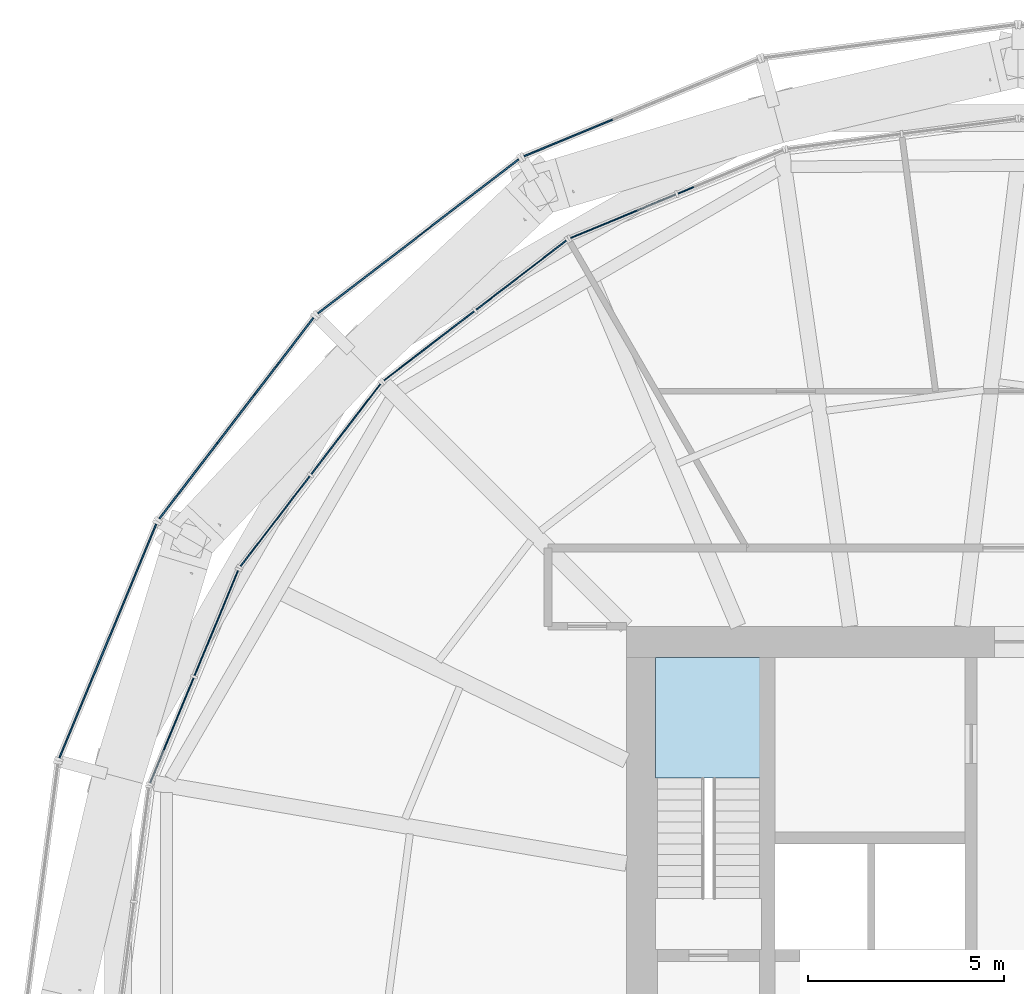
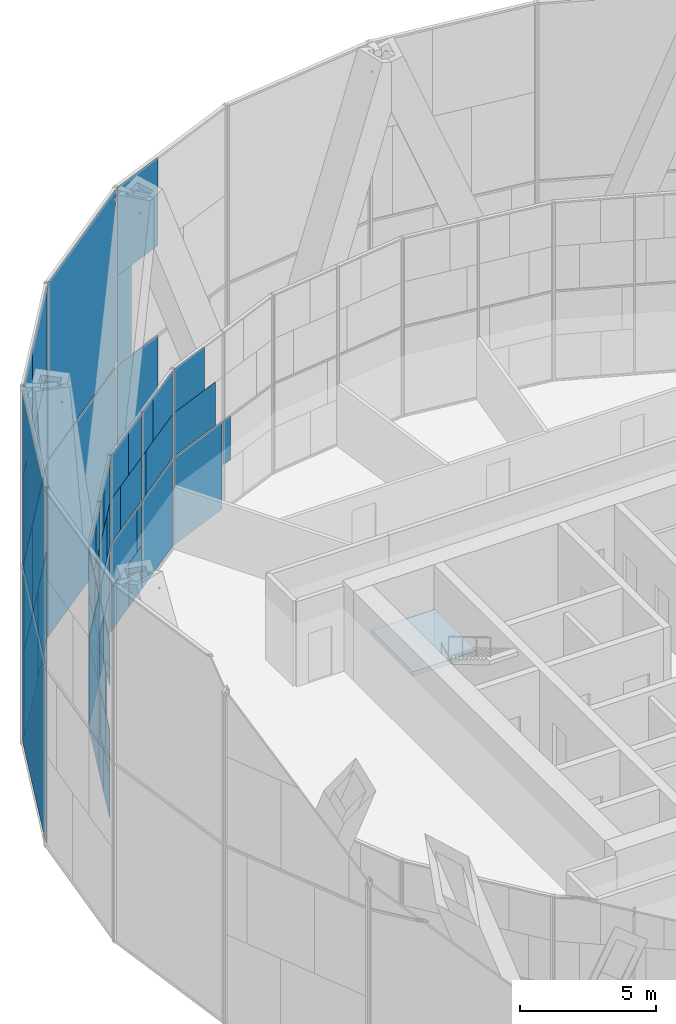
# One storey, part 16 of 22: 59 plates, 1 slab, 9 elements without a shape of their own.
"""IFC4 building model written with IfcOpenShell, lengths in metres."""

from ifc_helpers import new_model, si_unit, direction, frame, origin, origin_2d, place, context, subcontext, project, spatial, polyline, rectangle, outline, extrude, material, layer, layer_set, type_object, element, aggregate, save


model = new_model("IFC4")

# Units and contexts
model_context = context("Model", 3, precision=1e-05, world=origin(), true_north=direction((0.0, 1.0)))
body_context = subcontext(model_context, "Body", "Model", "MODEL_VIEW")
ifc_project = project(units=[si_unit("LENGTHUNIT", "METRE"), si_unit("AREAUNIT", "SQUARE_METRE"), si_unit("VOLUMEUNIT", "CUBIC_METRE"), si_unit("PLANEANGLEUNIT", "RADIAN"), si_unit("MASSUNIT", "GRAM", prefix="KILO")], contexts=[model_context])

# Site, building, storey
site_placement = place(None, origin())
site = spatial("IfcSite", under=ifc_project, at=site_placement, CompositionType="ELEMENT")
building_placement = place(site_placement, origin())
building = spatial("IfcBuilding", under=site, at=building_placement, Name="Golbaran Civic Tower", CompositionType="ELEMENT")
storey_placement = place(building_placement, frame((0.0, 0.0, 37.0)))
storey = spatial("IfcBuildingStorey", under=building, at=storey_placement, Name="L08", CompositionType="ELEMENT", Elevation=37.0)

# Curtain wall, plates
ifc_material_1 = material(Name="Aluminium and glass", Category="aluminium")
curtain_wall_type_1 = type_object("IfcCurtainWallType", Name="INNER SKIN CURTAIN WALL", PredefinedType="NOTDEFINED", material=ifc_material_1)
curtain_wall_1_placement = place(storey_placement, origin())
curtain_wall_1 = element("IfcCurtainWall", 1, at=curtain_wall_1_placement, inside=storey, type_object=curtain_wall_type_1, Name="Inner skin L08 facet 8 CW1", ObjectType="INNER SKIN", PredefinedType="USERDEFINED")
ifc_material_2 = material(Name="Clear insulating glass", Category="glass")
ifc_layer_1 = layer(ifc_material_2, 0.031982421875, Name="Clear insulating glass")
ifc_layer_set_1 = layer_set([ifc_layer_1], Name="Clear insulating glass")
plate_type_1 = type_object("IfcPlateType", Name="INNER SKIN CURTAIN WALL GLAZED PANEL", PredefinedType="CURTAIN_PANEL", material=ifc_layer_set_1)
plate_1_placement = place(storey_placement, frame((-8.481689453125, 21.126953125, 2.016357421875), z_axis=(0.0, 0.0, 1.0), x_axis=(-0.923879532511, -0.382683432365, 0.0)))
plate_1 = element("IfcPlate", 2, at=plate_1_placement, type_object=plate_type_1, Name="CW1 panel 1.1 part 4", PredefinedType="CURTAIN_PANEL", context=body_context, shape_type="SweptSolid", body=[
    extrude(rectangle(XDim=0.4326171875, YDim=0.031982421875, at=origin_2d()), origin(), (0.0, 0.0, 1.0), 1.951171875),
])
plate_2_placement = place(storey_placement, frame((-10.0810546875, 20.464599609375, 0.06494140625), z_axis=(0.0, 0.0, 1.0), x_axis=(-0.923879532511, -0.382683432365, 0.0)))
plate_2 = element("IfcPlate", 3, at=plate_2_placement, type_object=plate_type_1, Name="CW1 panel 2.1", PredefinedType="CURTAIN_PANEL", context=body_context, shape_type="SweptSolid", body=[
    extrude(rectangle(XDim=2.8994140625, YDim=0.031982421875, at=origin_2d()), origin(), (0.0, 0.0, 1.0), 3.902587890625),
])
plate_3_placement = place(storey_placement, frame((-10.266357421875, 20.3876953125, 4.032470703125), z_axis=(0.0, 0.0, 1.0), x_axis=(-0.923879532511, -0.382683432365, 0.0)))
plate_3 = element("IfcPlate", 4, at=plate_3_placement, type_object=plate_type_1, Name="CW1 panel 2.2 part 2", PredefinedType="CURTAIN_PANEL", context=body_context, shape_type="SweptSolid", body=[
    extrude(rectangle(XDim=2.49853515625, YDim=0.031982421875, at=origin_2d()), origin(), (0.0, 0.0, 1.0), 1.951171875),
])
plate_4_placement = place(storey_placement, frame((-10.572021484375, 20.260986328125, 5.98388671875), z_axis=(0.0, 0.0, 1.0), x_axis=(-0.923879532511, -0.382683432365, 0.0)))
plate_4 = element("IfcPlate", 5, at=plate_4_placement, type_object=plate_type_1, Name="CW1 panel 2.2 part 4", PredefinedType="CURTAIN_PANEL", context=body_context, shape_type="SweptSolid", body=[
    extrude(rectangle(XDim=1.83642578125, YDim=0.031982421875, at=origin_2d()), origin(), (0.0, 0.0, 1.0), 1.951171875),
])
aggregate(curtain_wall_1, [plate_1, plate_2, plate_3, plate_4])

curtain_wall_2_placement = place(storey_placement, origin())
curtain_wall_2 = element("IfcCurtainWall", 6, at=curtain_wall_2_placement, inside=storey, type_object=curtain_wall_type_1, Name="Inner skin L08 facet 9 CW1", ObjectType="INNER SKIN", PredefinedType="USERDEFINED")
plate_5_placement = place(storey_placement, frame((-12.68212890625, 18.962646484375, 0.06494140625), z_axis=(0.0, 0.0, 1.0), x_axis=(-0.793353340344, -0.608761428939, 0.0)))
plate_5 = element("IfcPlate", 7, at=plate_5_placement, type_object=plate_type_1, Name="CW1 panel 1.1", PredefinedType="CURTAIN_PANEL", context=body_context, shape_type="SweptSolid", body=[
    extrude(rectangle(XDim=2.8994140625, YDim=0.031982421875, at=origin_2d()), origin(), (0.0, 0.0, 1.0), 3.902587890625),
])
plate_6_placement = place(storey_placement, frame((-12.52294921875, 19.0849609375, 4.032470703125), z_axis=(0.0, 0.0, 1.0), x_axis=(-0.793353340344, -0.608761428939, 0.0)))
plate_6 = element("IfcPlate", 8, at=plate_6_placement, type_object=plate_type_1, Name="CW1 panel 1.2 part 1", PredefinedType="CURTAIN_PANEL", context=body_context, shape_type="SweptSolid", body=[
    extrude(rectangle(XDim=2.498046875, YDim=0.031982421875, at=origin_2d()), origin(), (0.0, 0.0, 1.0), 1.951171875),
])
plate_7_placement = place(storey_placement, frame((-12.2607421875, 19.2861328125, 5.98388671875), z_axis=(0.0, 0.0, 1.0), x_axis=(-0.793353340344, -0.608761428939, 0.0)))
plate_7 = element("IfcPlate", 9, at=plate_7_placement, type_object=plate_type_1, Name="CW1 panel 1.2 part 3", PredefinedType="CURTAIN_PANEL", context=body_context, shape_type="SweptSolid", body=[
    extrude(rectangle(XDim=1.8369140625, YDim=0.031982421875, at=origin_2d()), origin(), (0.0, 0.0, 1.0), 1.951171875),
])
plate_8_placement = place(storey_placement, frame((-14.360107421875, 17.67529296875, 0.06494140625), z_axis=(0.0, 0.0, 1.0), x_axis=(-0.793353340344, -0.608761428939, 0.0)))
plate_8 = element("IfcPlate", 10, at=plate_8_placement, type_object=plate_type_1, Name="CW1 panel 2.1 part 1", PredefinedType="CURTAIN_PANEL", context=body_context, shape_type="SweptSolid", body=[
    extrude(rectangle(XDim=1.199951171875, YDim=0.031982421875, at=origin_2d()), origin(), (0.0, 0.0, 1.0), 1.951171875),
])
plate_9_placement = place(storey_placement, frame((-14.055419921875, 17.9091796875, 2.016357421875), z_axis=(0.0, 0.0, 1.0), x_axis=(-0.793353340344, -0.608761428939, 0.0)))
plate_9 = element("IfcPlate", 11, at=plate_9_placement, type_object=plate_type_1, Name="CW1 panel 2.1 part 3", PredefinedType="CURTAIN_PANEL", context=body_context, shape_type="SweptSolid", body=[
    extrude(rectangle(XDim=0.431884765625, YDim=0.031982421875, at=origin_2d()), origin(), (0.0, 0.0, 1.0), 1.951171875),
])
plate_10_placement = place(storey_placement, frame((-15.827392578125, 16.54931640625, 4.032470703125), z_axis=(0.0, 0.0, 1.0), x_axis=(-0.793353340344, -0.608761428939, 0.0)))
plate_10 = element("IfcPlate", 12, at=plate_10_placement, type_object=plate_type_1, Name="CW1 panel 2.2 part 2", PredefinedType="CURTAIN_PANEL", context=body_context, shape_type="SweptSolid", body=[
    extrude(rectangle(XDim=0.8994140625, YDim=0.031982421875, at=origin_2d()), origin(), (0.0, 0.0, 1.0), 1.951171875),
])
plate_11_placement = place(storey_placement, frame((-15.52001953125, 16.78515625, 5.98388671875), z_axis=(0.0, 0.0, 1.0), x_axis=(-0.793353340344, -0.608761428939, 0.0)))
plate_11 = element("IfcPlate", 13, at=plate_11_placement, type_object=plate_type_1, Name="CW1 panel 2.2 part 4", PredefinedType="CURTAIN_PANEL", context=body_context, shape_type="SweptSolid", body=[
    extrude(rectangle(XDim=1.674560546875, YDim=0.031982421875, at=origin_2d()), origin(), (0.0, 0.0, 1.0), 1.951171875),
])

curtain_wall_3_placement = place(storey_placement, origin())
curtain_wall_3 = element("IfcCurtainWall", 14, at=curtain_wall_3_placement, inside=storey, type_object=curtain_wall_type_1, Name="Inner skin L08 facet 10 CW1", ObjectType="INNER SKIN", PredefinedType="USERDEFINED")
plate_12_placement = place(storey_placement, frame((-17.675537109375, 14.35986328125, 0.06494140625), z_axis=(0.0, 0.0, 1.0), x_axis=(-0.608761428939, -0.793353340344, 0.0)))
plate_12 = element("IfcPlate", 15, at=plate_12_placement, type_object=plate_type_1, Name="CW1 panel 1.1 part 2", PredefinedType="CURTAIN_PANEL", context=body_context, shape_type="SweptSolid", body=[
    extrude(rectangle(XDim=1.199462890625, YDim=0.031982421875, at=origin_2d()), origin(), (0.0, 0.0, 1.0), 1.951171875),
])
plate_13_placement = place(storey_placement, frame((-17.908935546875, 14.055419921875, 2.016357421875), z_axis=(0.0, 0.0, 1.0), x_axis=(-0.608761428939, -0.793353340344, 0.0)))
plate_13 = element("IfcPlate", 16, at=plate_13_placement, type_object=plate_type_1, Name="CW1 panel 1.1 part 4", PredefinedType="CURTAIN_PANEL", context=body_context, shape_type="SweptSolid", body=[
    extrude(rectangle(XDim=0.4326171875, YDim=0.031982421875, at=origin_2d()), origin(), (0.0, 0.0, 1.0), 1.951171875),
])
plate_14_placement = place(storey_placement, frame((-16.54931640625, 15.827392578125, 4.032470703125), z_axis=(0.0, 0.0, 1.0), x_axis=(-0.608761428939, -0.793353340344, 0.0)))
plate_14 = element("IfcPlate", 17, at=plate_14_placement, type_object=plate_type_1, Name="CW1 panel 1.2 part 1", PredefinedType="CURTAIN_PANEL", context=body_context, shape_type="SweptSolid", body=[
    extrude(rectangle(XDim=0.89990234375, YDim=0.031982421875, at=origin_2d()), origin(), (0.0, 0.0, 1.0), 1.951171875),
])
plate_15_placement = place(storey_placement, frame((-16.785400390625, 15.519775390625, 5.98388671875), z_axis=(0.0, 0.0, 1.0), x_axis=(-0.608761428939, -0.793353340344, 0.0)))
plate_15 = element("IfcPlate", 18, at=plate_15_placement, type_object=plate_type_1, Name="CW1 panel 1.2 part 3", PredefinedType="CURTAIN_PANEL", context=body_context, shape_type="SweptSolid", body=[
    extrude(rectangle(XDim=1.675048828125, YDim=0.031982421875, at=origin_2d()), origin(), (0.0, 0.0, 1.0), 1.951171875),
])
plate_16_placement = place(storey_placement, frame((-18.962646484375, 12.68212890625, 0.06494140625), z_axis=(0.0, 0.0, 1.0), x_axis=(-0.608761428939, -0.793353340344, 0.0)))
plate_16 = element("IfcPlate", 19, at=plate_16_placement, type_object=plate_type_1, Name="CW1 panel 2.1", PredefinedType="CURTAIN_PANEL", context=body_context, shape_type="SweptSolid", body=[
    extrude(rectangle(XDim=2.8994140625, YDim=0.031982421875, at=origin_2d()), origin(), (0.0, 0.0, 1.0), 3.902587890625),
])
plate_17_placement = place(storey_placement, frame((-19.084716796875, 12.523193359375, 4.032470703125), z_axis=(0.0, 0.0, 1.0), x_axis=(-0.608761428939, -0.793353340344, 0.0)))
plate_17 = element("IfcPlate", 20, at=plate_17_placement, type_object=plate_type_1, Name="CW1 panel 2.2 part 2", PredefinedType="CURTAIN_PANEL", context=body_context, shape_type="SweptSolid", body=[
    extrude(rectangle(XDim=2.49853515625, YDim=0.031982421875, at=origin_2d()), origin(), (0.0, 0.0, 1.0), 1.951171875),
])
plate_18_placement = place(storey_placement, frame((-19.2861328125, 12.260498046875, 5.98388671875), z_axis=(0.0, 0.0, 1.0), x_axis=(-0.608761428939, -0.793353340344, 0.0)))
plate_18 = element("IfcPlate", 21, at=plate_18_placement, type_object=plate_type_1, Name="CW1 panel 2.2 part 4", PredefinedType="CURTAIN_PANEL", context=body_context, shape_type="SweptSolid", body=[
    extrude(rectangle(XDim=1.83642578125, YDim=0.031982421875, at=origin_2d()), origin(), (0.0, 0.0, 1.0), 1.951171875),
])

curtain_wall_4_placement = place(storey_placement, origin())
curtain_wall_4 = element("IfcCurtainWall", 22, at=curtain_wall_4_placement, inside=storey, type_object=curtain_wall_type_1, Name="Inner skin L08 facet 11 CW1", ObjectType="INNER SKIN", PredefinedType="USERDEFINED")
plate_19_placement = place(storey_placement, frame((-20.464599609375, 10.0810546875, 0.06494140625), z_axis=(0.0, 0.0, 1.0), x_axis=(-0.382683432365, -0.923879532511, 0.0)))
plate_19 = element("IfcPlate", 23, at=plate_19_placement, type_object=plate_type_1, Name="CW1 panel 1.1", PredefinedType="CURTAIN_PANEL", context=body_context, shape_type="SweptSolid", body=[
    extrude(rectangle(XDim=2.8994140625, YDim=0.031982421875, at=origin_2d()), origin(), (0.0, 0.0, 1.0), 3.902587890625),
])
plate_20_placement = place(storey_placement, frame((-20.3876953125, 10.2666015625, 4.032470703125), z_axis=(0.0, 0.0, 1.0), x_axis=(-0.382683432365, -0.923879532511, 0.0)))
plate_20 = element("IfcPlate", 24, at=plate_20_placement, type_object=plate_type_1, Name="CW1 panel 1.2 part 1", PredefinedType="CURTAIN_PANEL", context=body_context, shape_type="SweptSolid", body=[
    extrude(rectangle(XDim=2.498046875, YDim=0.031982421875, at=origin_2d()), origin(), (0.0, 0.0, 1.0), 1.951171875),
])
plate_21_placement = place(storey_placement, frame((-20.26123046875, 10.57177734375, 5.98388671875), z_axis=(0.0, 0.0, 1.0), x_axis=(-0.382683432365, -0.923879532511, 0.0)))
plate_21 = element("IfcPlate", 25, at=plate_21_placement, type_object=plate_type_1, Name="CW1 panel 1.2 part 3", PredefinedType="CURTAIN_PANEL", context=body_context, shape_type="SweptSolid", body=[
    extrude(rectangle(XDim=1.8369140625, YDim=0.031982421875, at=origin_2d()), origin(), (0.0, 0.0, 1.0), 1.951171875),
])
plate_22_placement = place(storey_placement, frame((-21.273681640625, 8.127197265625, 0.06494140625), z_axis=(0.0, 0.0, 1.0), x_axis=(-0.382683432365, -0.923879532511, 0.0)))
plate_22 = element("IfcPlate", 26, at=plate_22_placement, type_object=plate_type_1, Name="CW1 panel 2.1 part 1", PredefinedType="CURTAIN_PANEL", context=body_context, shape_type="SweptSolid", body=[
    extrude(rectangle(XDim=1.199951171875, YDim=0.031982421875, at=origin_2d()), origin(), (0.0, 0.0, 1.0), 1.951171875),
])
plate_23_placement = place(storey_placement, frame((-21.126708984375, 8.48193359375, 2.016357421875), z_axis=(0.0, 0.0, 1.0), x_axis=(-0.382683432365, -0.923879532511, 0.0)))
plate_23 = element("IfcPlate", 27, at=plate_23_placement, type_object=plate_type_1, Name="CW1 panel 2.1 part 3", PredefinedType="CURTAIN_PANEL", context=body_context, shape_type="SweptSolid", body=[
    extrude(rectangle(XDim=0.431884765625, YDim=0.031982421875, at=origin_2d()), origin(), (0.0, 0.0, 1.0), 1.951171875),
])
plate_24_placement = place(storey_placement, frame((-21.833251953125, 6.7763671875, 5.98388671875), z_axis=(0.0, 0.0, 1.0), x_axis=(-0.382683432365, -0.923879532511, 0.0)))
plate_24 = element("IfcPlate", 28, at=plate_24_placement, type_object=plate_type_1, Name="CW1 panel 2.2 part 4", PredefinedType="CURTAIN_PANEL", context=body_context, shape_type="SweptSolid", body=[
    extrude(rectangle(XDim=1.674560546875, YDim=0.031982421875, at=origin_2d()), origin(), (0.0, 0.0, 1.0), 1.951171875),
])

# Plate
ifc_material_3 = material(Name="Aluminium faced opaque infill panel", Category="aluminium")
ifc_layer_2 = layer(ifc_material_3, 0.031982421875, Name="Aluminium faced opaque infill panel")
ifc_layer_set_2 = layer_set([ifc_layer_2], Name="Aluminium faced opaque infill panel")
plate_type_2 = type_object("IfcPlateType", Name="INNER SKIN CURTAIN WALL OPAQUE INFILL PANEL", PredefinedType="CURTAIN_PANEL", material=ifc_layer_set_2)
plate_25_placement = place(storey_placement, frame((-13.673095703125, 18.202392578125, 4.032470703125), z_axis=(0.0, 0.0, 1.0), x_axis=(-0.793353340344, -0.608761428939, 0.0)))
plate_25 = element("IfcPlate", 29, at=plate_25_placement, type_object=plate_type_2, Name="CW1 infill panel 1.2 part 2", PredefinedType="CURTAIN_PANEL", context=body_context, shape_type="SweptSolid", body=[
    extrude(rectangle(XDim=0.401611328125, YDim=0.031982421875, at=origin_2d()), origin(), (0.0, 0.0, 1.0), 1.951171875),
])

plate_26_placement = place(storey_placement, frame((-13.410888671875, 18.403564453125, 5.98388671875), z_axis=(0.0, 0.0, 1.0), x_axis=(-0.793353340344, -0.608761428939, 0.0)))
plate_26 = element("IfcPlate", 30, at=plate_26_placement, type_object=plate_type_2, Name="CW1 infill panel 1.2 part 4", PredefinedType="CURTAIN_PANEL", context=body_context, shape_type="SweptSolid", body=[
    extrude(rectangle(XDim=1.0625, YDim=0.031982421875, at=origin_2d()), origin(), (0.0, 0.0, 1.0), 1.951171875),
])

plate_27_placement = place(storey_placement, frame((-15.51025390625, 16.792724609375, 0.06494140625), z_axis=(0.0, 0.0, 1.0), x_axis=(-0.793353340344, -0.608761428939, 0.0)))
plate_27 = element("IfcPlate", 31, at=plate_27_placement, type_object=plate_type_2, Name="CW1 infill panel 2.1 part 2", PredefinedType="CURTAIN_PANEL", context=body_context, shape_type="SweptSolid", body=[
    extrude(rectangle(XDim=1.699462890625, YDim=0.031982421875, at=origin_2d()), origin(), (0.0, 0.0, 1.0), 1.951171875),
])

plate_28_placement = place(storey_placement, frame((-15.20556640625, 17.026611328125, 2.016357421875), z_axis=(0.0, 0.0, 1.0), x_axis=(-0.793353340344, -0.608761428939, 0.0)))
plate_28 = element("IfcPlate", 32, at=plate_28_placement, type_object=plate_type_2, Name="CW1 infill panel 2.1 part 4", PredefinedType="CURTAIN_PANEL", context=body_context, shape_type="SweptSolid", body=[
    extrude(rectangle(XDim=2.467529296875, YDim=0.031982421875, at=origin_2d()), origin(), (0.0, 0.0, 1.0), 1.951171875),
])

plate_29_placement = place(storey_placement, frame((-14.67724609375, 17.431884765625, 4.032470703125), z_axis=(0.0, 0.0, 1.0), x_axis=(-0.793353340344, -0.608761428939, 0.0)))
plate_29 = element("IfcPlate", 33, at=plate_29_placement, type_object=plate_type_2, Name="CW1 infill panel 2.2 part 1", PredefinedType="CURTAIN_PANEL", context=body_context, shape_type="SweptSolid", body=[
    extrude(rectangle(XDim=2.0, YDim=0.031982421875, at=origin_2d()), origin(), (0.0, 0.0, 1.0), 1.951171875),
])

plate_30_placement = place(storey_placement, frame((-14.369873046875, 17.667724609375, 5.98388671875), z_axis=(0.0, 0.0, 1.0), x_axis=(-0.793353340344, -0.608761428939, 0.0)))
plate_30 = element("IfcPlate", 34, at=plate_30_placement, type_object=plate_type_2, Name="CW1 infill panel 2.2 part 3", PredefinedType="CURTAIN_PANEL", context=body_context, shape_type="SweptSolid", body=[
    extrude(rectangle(XDim=1.22509765625, YDim=0.031982421875, at=origin_2d()), origin(), (0.0, 0.0, 1.0), 1.951171875),
])

aggregate(curtain_wall_2, [plate_5, plate_6, plate_25, plate_7, plate_26, plate_8, plate_27, plate_9, plate_28, plate_29, plate_10, plate_30, plate_11])

plate_31_placement = place(storey_placement, frame((-16.79296875, 15.510009765625, 0.06494140625), z_axis=(0.0, 0.0, 1.0), x_axis=(-0.608761428939, -0.793353340344, 0.0)))
plate_31 = element("IfcPlate", 35, at=plate_31_placement, type_object=plate_type_2, Name="CW1 infill panel 1.1 part 1", PredefinedType="CURTAIN_PANEL", context=body_context, shape_type="SweptSolid", body=[
    extrude(rectangle(XDim=1.699951171875, YDim=0.031982421875, at=origin_2d()), origin(), (0.0, 0.0, 1.0), 1.951171875),
])

plate_32_placement = place(storey_placement, frame((-17.0263671875, 15.205810546875, 2.016357421875), z_axis=(0.0, 0.0, 1.0), x_axis=(-0.608761428939, -0.793353340344, 0.0)))
plate_32 = element("IfcPlate", 36, at=plate_32_placement, type_object=plate_type_2, Name="CW1 infill panel 1.1 part 3", PredefinedType="CURTAIN_PANEL", context=body_context, shape_type="SweptSolid", body=[
    extrude(rectangle(XDim=2.467041015625, YDim=0.031982421875, at=origin_2d()), origin(), (0.0, 0.0, 1.0), 1.951171875),
])

plate_33_placement = place(storey_placement, frame((-17.431884765625, 14.67724609375, 4.032470703125), z_axis=(0.0, 0.0, 1.0), x_axis=(-0.608761428939, -0.793353340344, 0.0)))
plate_33 = element("IfcPlate", 37, at=plate_33_placement, type_object=plate_type_2, Name="CW1 infill panel 1.2 part 2", PredefinedType="CURTAIN_PANEL", context=body_context, shape_type="SweptSolid", body=[
    extrude(rectangle(XDim=1.99951171875, YDim=0.031982421875, at=origin_2d()), origin(), (0.0, 0.0, 1.0), 1.951171875),
])

plate_34_placement = place(storey_placement, frame((-17.667724609375, 14.36962890625, 5.98388671875), z_axis=(0.0, 0.0, 1.0), x_axis=(-0.608761428939, -0.793353340344, 0.0)))
plate_34 = element("IfcPlate", 38, at=plate_34_placement, type_object=plate_type_2, Name="CW1 infill panel 1.2 part 4", PredefinedType="CURTAIN_PANEL", context=body_context, shape_type="SweptSolid", body=[
    extrude(rectangle(XDim=1.224609375, YDim=0.031982421875, at=origin_2d()), origin(), (0.0, 0.0, 1.0), 1.951171875),
])

plate_35_placement = place(storey_placement, frame((-18.2021484375, 13.67333984375, 4.032470703125), z_axis=(0.0, 0.0, 1.0), x_axis=(-0.608761428939, -0.793353340344, 0.0)))
plate_35 = element("IfcPlate", 39, at=plate_35_placement, type_object=plate_type_2, Name="CW1 infill panel 2.2 part 1", PredefinedType="CURTAIN_PANEL", context=body_context, shape_type="SweptSolid", body=[
    extrude(rectangle(XDim=0.40087890625, YDim=0.031982421875, at=origin_2d()), origin(), (0.0, 0.0, 1.0), 1.951171875),
])

plate_36_placement = place(storey_placement, frame((-18.403564453125, 13.41064453125, 5.98388671875), z_axis=(0.0, 0.0, 1.0), x_axis=(-0.608761428939, -0.793353340344, 0.0)))
plate_36 = element("IfcPlate", 40, at=plate_36_placement, type_object=plate_type_2, Name="CW1 infill panel 2.2 part 3", PredefinedType="CURTAIN_PANEL", context=body_context, shape_type="SweptSolid", body=[
    extrude(rectangle(XDim=1.06298828125, YDim=0.031982421875, at=origin_2d()), origin(), (0.0, 0.0, 1.0), 1.951171875),
])

aggregate(curtain_wall_3, [plate_31, plate_12, plate_32, plate_13, plate_14, plate_33, plate_15, plate_34, plate_16, plate_35, plate_17, plate_36, plate_18])

plate_37_placement = place(storey_placement, frame((-20.9423828125, 8.927001953125, 4.032470703125), z_axis=(0.0, 0.0, 1.0), x_axis=(-0.382683432365, -0.923879532511, 0.0)))
plate_37 = element("IfcPlate", 41, at=plate_37_placement, type_object=plate_type_2, Name="CW1 infill panel 1.2 part 2", PredefinedType="CURTAIN_PANEL", context=body_context, shape_type="SweptSolid", body=[
    extrude(rectangle(XDim=0.401611328125, YDim=0.031982421875, at=origin_2d()), origin(), (0.0, 0.0, 1.0), 1.951171875),
])

plate_38_placement = place(storey_placement, frame((-20.81591796875, 9.232421875, 5.98388671875), z_axis=(0.0, 0.0, 1.0), x_axis=(-0.382683432365, -0.923879532511, 0.0)))
plate_38 = element("IfcPlate", 42, at=plate_38_placement, type_object=plate_type_2, Name="CW1 infill panel 1.2 part 4", PredefinedType="CURTAIN_PANEL", context=body_context, shape_type="SweptSolid", body=[
    extrude(rectangle(XDim=1.0625, YDim=0.031982421875, at=origin_2d()), origin(), (0.0, 0.0, 1.0), 1.951171875),
])

plate_39_placement = place(storey_placement, frame((-21.82861328125, 6.787841796875, 0.06494140625), z_axis=(0.0, 0.0, 1.0), x_axis=(-0.382683432365, -0.923879532511, 0.0)))
plate_39 = element("IfcPlate", 43, at=plate_39_placement, type_object=plate_type_2, Name="CW1 infill panel 2.1 part 2", PredefinedType="CURTAIN_PANEL", context=body_context, shape_type="SweptSolid", body=[
    extrude(rectangle(XDim=1.699462890625, YDim=0.031982421875, at=origin_2d()), origin(), (0.0, 0.0, 1.0), 1.951171875),
])

plate_40_placement = place(storey_placement, frame((-21.681640625, 7.142578125, 2.016357421875), z_axis=(0.0, 0.0, 1.0), x_axis=(-0.382683432365, -0.923879532511, 0.0)))
plate_40 = element("IfcPlate", 44, at=plate_40_placement, type_object=plate_type_2, Name="CW1 infill panel 2.1 part 4", PredefinedType="CURTAIN_PANEL", context=body_context, shape_type="SweptSolid", body=[
    extrude(rectangle(XDim=2.467529296875, YDim=0.031982421875, at=origin_2d()), origin(), (0.0, 0.0, 1.0), 1.951171875),
])

plate_41_placement = place(storey_placement, frame((-21.4267578125, 7.7578125, 4.032470703125), z_axis=(0.0, 0.0, 1.0), x_axis=(-0.382683432365, -0.923879532511, 0.0)))
plate_41 = element("IfcPlate", 45, at=plate_41_placement, type_object=plate_type_2, Name="CW1 infill panel 2.2 part 1", PredefinedType="CURTAIN_PANEL", context=body_context, shape_type="SweptSolid", body=[
    extrude(rectangle(XDim=2.0, YDim=0.031982421875, at=origin_2d()), origin(), (0.0, 0.0, 1.0), 1.951171875),
])

plate_42_placement = place(storey_placement, frame((-21.278564453125, 8.11572265625, 5.98388671875), z_axis=(0.0, 0.0, 1.0), x_axis=(-0.382683432365, -0.923879532511, 0.0)))
plate_42 = element("IfcPlate", 46, at=plate_42_placement, type_object=plate_type_2, Name="CW1 infill panel 2.2 part 3", PredefinedType="CURTAIN_PANEL", context=body_context, shape_type="SweptSolid", body=[
    extrude(rectangle(XDim=1.22509765625, YDim=0.031982421875, at=origin_2d()), origin(), (0.0, 0.0, 1.0), 1.951171875),
])

aggregate(curtain_wall_4, [plate_19, plate_20, plate_37, plate_21, plate_38, plate_22, plate_39, plate_23, plate_40, plate_41, plate_42, plate_24])

# Curtain wall, plates
curtain_wall_type_2 = type_object("IfcCurtainWallType", Name="OUTER SKIN TERRACOTTA SCREEN", PredefinedType="NOTDEFINED", material=ifc_material_1)
curtain_wall_5_placement = place(storey_placement, origin())
curtain_wall_5 = element("IfcCurtainWall", 47, at=curtain_wall_5_placement, inside=storey, type_object=curtain_wall_type_2, Name="Outer skin L08 facet 8 CW3", ObjectType="OUTER SKIN", PredefinedType="USERDEFINED")
ifc_material_4 = material(Name="Clear laminated glass", Category="glass")
ifc_layer_3 = layer(ifc_material_4, 0.0400390625, Name="Clear laminated glass")
ifc_layer_set_3 = layer_set([ifc_layer_3], Name="Clear laminated glass")
plate_type_3 = type_object("IfcPlateType", Name="OUTER SKIN CLEAR GLASS PANEL", PredefinedType="CURTAIN_PANEL", material=ifc_layer_set_3)
plate_43_placement = place(storey_placement, frame((-11.482421875, 22.46484375, 3.31005859375), z_axis=(0.0, 0.0, 1.0), x_axis=(-0.923879532471, -0.382683432462, 0.0)))
plate_43 = element("IfcPlate", 48, at=plate_43_placement, type_object=plate_type_3, Name="CW3 panel 1.1 part 5", PredefinedType="CURTAIN_PANEL", context=body_context, shape_type="SweptSolid", body=[
    extrude(rectangle(XDim=2.43896484375, YDim=0.0400390625, at=origin_2d()), origin(), (0.0, 0.0, 1.0), 3.93994140625),
])
plate_44_placement = place(storey_placement, frame((-12.22021484375, 22.1591796875, 7.330078125), z_axis=(0.0, 0.0, 1.0), x_axis=(-0.923879532471, -0.382683432462, 0.0)))
plate_44 = element("IfcPlate", 49, at=plate_44_placement, type_object=plate_type_3, Name="CW3 panel 1.2 part 3", PredefinedType="CURTAIN_PANEL", context=body_context, shape_type="SweptSolid", body=[
    extrude(rectangle(XDim=0.841796875, YDim=0.0400390625, at=origin_2d()), origin(), (0.0, 0.0, 1.0), 3.93994140625),
])

curtain_wall_6_placement = place(storey_placement, origin())
curtain_wall_6 = element("IfcCurtainWall", 50, at=curtain_wall_6_placement, inside=storey, type_object=curtain_wall_type_2, Name="Outer skin L08 facet 10 CW3", ObjectType="OUTER SKIN", PredefinedType="USERDEFINED")
plate_45_placement = place(storey_placement, frame((-20.700439453125, 14.334228515625, -0.6298828125), z_axis=(0.0, 0.0, 1.0), x_axis=(-0.608761428898, -0.793353340376, 0.0)))
plate_45 = element("IfcPlate", 51, at=plate_45_placement, type_object=plate_type_3, Name="CW3 panel 1.1 part 2", PredefinedType="CURTAIN_PANEL", context=body_context, shape_type="SweptSolid", body=[
    extrude(rectangle(XDim=4.0029296875, YDim=0.0400390625, at=origin_2d()), origin(), (0.0, 0.0, 1.0), 3.93994140625),
])
plate_46_placement = place(storey_placement, frame((-18.26123046875, 17.51318359375, 3.31005859375), z_axis=(0.0, 0.0, 1.0), x_axis=(-0.608761428898, -0.793353340376, 0.0)))
plate_46 = element("IfcPlate", 52, at=plate_46_placement, type_object=plate_type_3, Name="CW3 panel 1.1 part 3", PredefinedType="CURTAIN_PANEL", context=body_context, shape_type="SweptSolid", body=[
    extrude(rectangle(XDim=0.906982421875, YDim=0.0400390625, at=origin_2d()), origin(), (0.0, 0.0, 1.0), 3.93994140625),
])
plate_47_placement = place(storey_placement, frame((-21.176513671875, 13.7138671875, 3.31005859375), z_axis=(0.0, 0.0, 1.0), x_axis=(-0.608761428898, -0.793353340376, 0.0)))
plate_47 = element("IfcPlate", 53, at=plate_47_placement, type_object=plate_type_3, Name="CW3 panel 1.1 part 5", PredefinedType="CURTAIN_PANEL", context=body_context, shape_type="SweptSolid", body=[
    extrude(rectangle(XDim=2.43896484375, YDim=0.0400390625, at=origin_2d()), origin(), (0.0, 0.0, 1.0), 3.93994140625),
])
plate_48_placement = place(storey_placement, frame((-18.742431640625, 16.885986328125, 7.330078125), z_axis=(0.0, 0.0, 1.0), x_axis=(-0.608761428898, -0.793353340376, 0.0)))
plate_48 = element("IfcPlate", 54, at=plate_48_placement, type_object=plate_type_3, Name="CW3 panel 1.2 part 1", PredefinedType="CURTAIN_PANEL", context=body_context, shape_type="SweptSolid", body=[
    extrude(rectangle(XDim=2.488037109375, YDim=0.0400390625, at=origin_2d()), origin(), (0.0, 0.0, 1.0), 3.93994140625),
])
plate_49_placement = place(storey_placement, frame((-21.66259765625, 13.080322265625, 7.330078125), z_axis=(0.0, 0.0, 1.0), x_axis=(-0.608761428898, -0.793353340376, 0.0)))
plate_49 = element("IfcPlate", 55, at=plate_49_placement, type_object=plate_type_3, Name="CW3 panel 1.2 part 3", PredefinedType="CURTAIN_PANEL", context=body_context, shape_type="SweptSolid", body=[
    extrude(rectangle(XDim=0.841796875, YDim=0.0400390625, at=origin_2d()), origin(), (0.0, 0.0, 1.0), 3.93994140625),
])
plate_50_placement = place(storey_placement, frame((-19.2138671875, 16.271728515625, 11.27001953125), z_axis=(0.0, 0.0, 1.0), x_axis=(-0.608761428898, -0.793353340376, 0.0)))
plate_50 = element("IfcPlate", 56, at=plate_50_placement, type_object=plate_type_3, Name="CW3 panel 1.2 part 4", PredefinedType="CURTAIN_PANEL", context=body_context, shape_type="SweptSolid", body=[
    extrude(rectangle(XDim=4.037109375, YDim=0.0400390625, at=origin_2d()), origin(), (0.0, 0.0, 1.0), 3.93994140625),
])

# Plate
ifc_material_5 = material(Name="Terracotta baguette screen", Category="masonry")
ifc_layer_4 = layer(ifc_material_5, 0.0400390625, Name="Terracotta baguette screen")
ifc_layer_set_4 = layer_set([ifc_layer_4], Name="Terracotta baguette screen")
plate_type_4 = type_object("IfcPlateType", Name="OUTER SKIN TERRACOTTA INFILL PANEL", PredefinedType="CURTAIN_PANEL", material=ifc_layer_set_4)
plate_51_placement = place(storey_placement, frame((-11.489013671875, 22.462158203125, 11.27001953125), z_axis=(0.0, 0.0, 1.0), x_axis=(-0.923879532471, -0.382683432462, 0.0)))
plate_51 = element("IfcPlate", 57, at=plate_51_placement, type_object=plate_type_4, Name="CW3 infill panel 1.2 part 5", PredefinedType="CURTAIN_PANEL", context=body_context, shape_type="SweptSolid", body=[
    extrude(rectangle(XDim=2.4248046875, YDim=0.0400390625, at=origin_2d()), origin(), (0.0, 0.0, 1.0), 3.93994140625),
])

aggregate(curtain_wall_5, [plate_43, plate_44, plate_51])

plate_52_placement = place(storey_placement, frame((-18.733642578125, 16.8974609375, -0.6298828125), z_axis=(0.0, 0.0, 1.0), x_axis=(-0.608761428898, -0.793353340376, 0.0)))
plate_52 = element("IfcPlate", 58, at=plate_52_placement, type_object=plate_type_4, Name="CW3 infill panel 1.1 part 1", PredefinedType="CURTAIN_PANEL", context=body_context, shape_type="SweptSolid", body=[
    extrude(rectangle(XDim=2.458984375, YDim=0.0400390625, at=origin_2d()), origin(), (0.0, 0.0, 1.0), 3.93994140625),
])

plate_53_placement = place(storey_placement, frame((-19.48583984375, 15.91748046875, 3.31005859375), z_axis=(0.0, 0.0, 1.0), x_axis=(-0.608761428898, -0.793353340376, 0.0)))
plate_53 = element("IfcPlate", 59, at=plate_53_placement, type_object=plate_type_4, Name="CW3 infill panel 1.1 part 4", PredefinedType="CURTAIN_PANEL", context=body_context, shape_type="SweptSolid", body=[
    extrude(rectangle(XDim=3.115966796875, YDim=0.0400390625, at=origin_2d()), origin(), (0.0, 0.0, 1.0), 3.93994140625),
])

plate_54_placement = place(storey_placement, frame((-20.453125, 14.65673828125, 7.330078125), z_axis=(0.0, 0.0, 1.0), x_axis=(-0.608761428898, -0.793353340376, 0.0)))
plate_54 = element("IfcPlate", 60, at=plate_54_placement, type_object=plate_type_4, Name="CW3 infill panel 1.2 part 2", PredefinedType="CURTAIN_PANEL", context=body_context, shape_type="SweptSolid", body=[
    extrude(rectangle(XDim=3.132080078125, YDim=0.0400390625, at=origin_2d()), origin(), (0.0, 0.0, 1.0), 3.93994140625),
])

plate_55_placement = place(storey_placement, frame((-21.180908203125, 13.708251953125, 11.27001953125), z_axis=(0.0, 0.0, 1.0), x_axis=(-0.608761428898, -0.793353340376, 0.0)))
plate_55 = element("IfcPlate", 61, at=plate_55_placement, type_object=plate_type_4, Name="CW3 infill panel 1.2 part 5", PredefinedType="CURTAIN_PANEL", context=body_context, shape_type="SweptSolid", body=[
    extrude(rectangle(XDim=2.4248046875, YDim=0.0400390625, at=origin_2d()), origin(), (0.0, 0.0, 1.0), 3.93994140625),
])

aggregate(curtain_wall_6, [plate_52, plate_45, plate_46, plate_53, plate_47, plate_48, plate_54, plate_49, plate_50, plate_55])

# Curtain wall, plates
curtain_wall_7_placement = place(storey_placement, origin())
curtain_wall_7 = element("IfcCurtainWall", 62, at=curtain_wall_7_placement, inside=storey, type_object=curtain_wall_type_2, Name="Outer skin L08 facet 9 CW3", ObjectType="OUTER SKIN", PredefinedType="USERDEFINED")
ifc_layer_5 = layer(ifc_material_5, 0.0400390625, Name="Terracotta baguette screen")
ifc_layer_set_5 = layer_set([ifc_layer_5], Name="Terracotta baguette screen")
plate_type_5 = type_object("IfcPlateType", Name="OUTER SKIN TERRACOTTA SCREEN PANEL", PredefinedType="CURTAIN_PANEL", material=ifc_layer_set_5)
plate_56_placement = place(storey_placement, frame((-15.309814453125, 19.9521484375, -0.6298828125), z_axis=(0.0, 0.0, 1.0), x_axis=(-0.793353340376, -0.608761428898, 0.0)))
plate_56 = element("IfcPlate", 63, at=plate_56_placement, type_object=plate_type_5, Name="CW3 terracotta screen panel 1.1", PredefinedType="CURTAIN_PANEL", context=body_context, shape_type="SweptSolid", body=[
    extrude(rectangle(XDim=6.4619140625, YDim=0.0400390625, at=origin_2d()), origin(), (0.0, 0.0, 1.0), 7.8798828125),
])
plate_57_placement = place(storey_placement, frame((-15.309814453125, 19.9521484375, 7.330078125), z_axis=(0.0, 0.0, 1.0), x_axis=(-0.793353340376, -0.608761428898, 0.0)))
plate_57 = element("IfcPlate", 64, at=plate_57_placement, type_object=plate_type_5, Name="CW3 terracotta screen panel 1.2", PredefinedType="CURTAIN_PANEL", context=body_context, shape_type="SweptSolid", body=[
    extrude(rectangle(XDim=6.4619140625, YDim=0.0400390625, at=origin_2d()), origin(), (0.0, 0.0, 1.0), 7.8798828125),
])
aggregate(curtain_wall_7, [plate_56, plate_57])

curtain_wall_8_placement = place(storey_placement, origin())
curtain_wall_8 = element("IfcCurtainWall", 65, at=curtain_wall_8_placement, inside=storey, type_object=curtain_wall_type_2, Name="Outer skin L08 facet 11 CW3", ObjectType="OUTER SKIN", PredefinedType="USERDEFINED")
plate_58_placement = place(storey_placement, frame((-23.234619140625, 9.6240234375, -0.6298828125), z_axis=(0.0, 0.0, 1.0), x_axis=(-0.382683432462, -0.923879532471, 0.0)))
plate_58 = element("IfcPlate", 66, at=plate_58_placement, type_object=plate_type_5, Name="CW3 terracotta screen panel 1.1", PredefinedType="CURTAIN_PANEL", context=body_context, shape_type="SweptSolid", body=[
    extrude(rectangle(XDim=6.4619140625, YDim=0.0400390625, at=origin_2d()), origin(), (0.0, 0.0, 1.0), 7.8798828125),
])
plate_59_placement = place(storey_placement, frame((-23.234619140625, 9.6240234375, 7.330078125), z_axis=(0.0, 0.0, 1.0), x_axis=(-0.382683432462, -0.923879532471, 0.0)))
plate_59 = element("IfcPlate", 67, at=plate_59_placement, type_object=plate_type_5, Name="CW3 terracotta screen panel 1.2", PredefinedType="CURTAIN_PANEL", context=body_context, shape_type="SweptSolid", body=[
    extrude(rectangle(XDim=6.4619140625, YDim=0.0400390625, at=origin_2d()), origin(), (0.0, 0.0, 1.0), 7.8798828125),
])
aggregate(curtain_wall_8, [plate_58, plate_59])

# Stair, slab
ifc_material_6 = material(Name="Concrete C35/45", Category="concrete")
stair_type = type_object("IfcStairType", Name="EXIT STAIR 2600 x 7450, 4000 RISE", PredefinedType="HALF_TURN_STAIR", material=ifc_material_6)
stair_placement = place(storey_placement, origin())
stair = element("IfcStair", 68, at=stair_placement, inside=storey, type_object=stair_type, Name="Stair S1 L08", PredefinedType="HALF_TURN_STAIR")
ifc_layer_6 = layer(ifc_material_6, 0.199951171875, Name="Concrete C35/45")
ifc_layer_set_6 = layer_set([ifc_layer_6], Name="Concrete C35/45")
slab_type = type_object("IfcSlabType", Name="STAIR LANDING 200", PredefinedType="LANDING", material=ifc_layer_set_6)
slab_placement = place(storey_placement, frame((0.0, 0.0, 1.800048828125)))
slab = element("IfcSlab", 69, at=slab_placement, type_object=slab_type, Name="ST26074-40 landing 1", PredefinedType="LANDING", context=body_context, shape_type="SweptSolid", body=[
    extrude(outline(polyline([(-9.25, 6.125), (-9.25, 9.199951171875), (-6.550048828125, 9.199951171875), (-6.550048828125, 6.125), (-9.25, 6.125)])), origin(), (0.0, 0.0, 1.0), 0.199951171875),
])
aggregate(stair, [slab])

save(model, "model.ifc")
